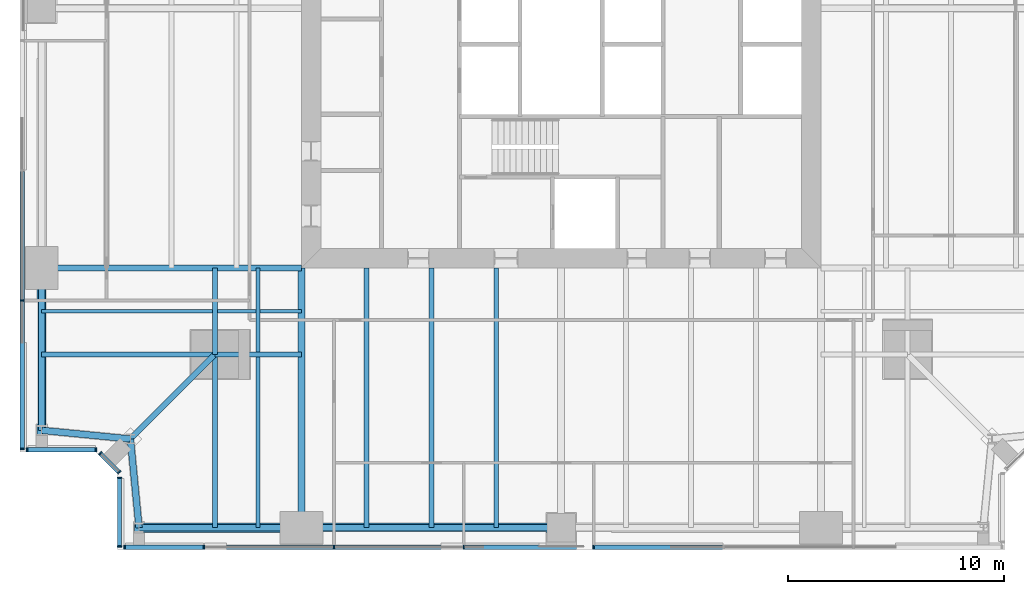
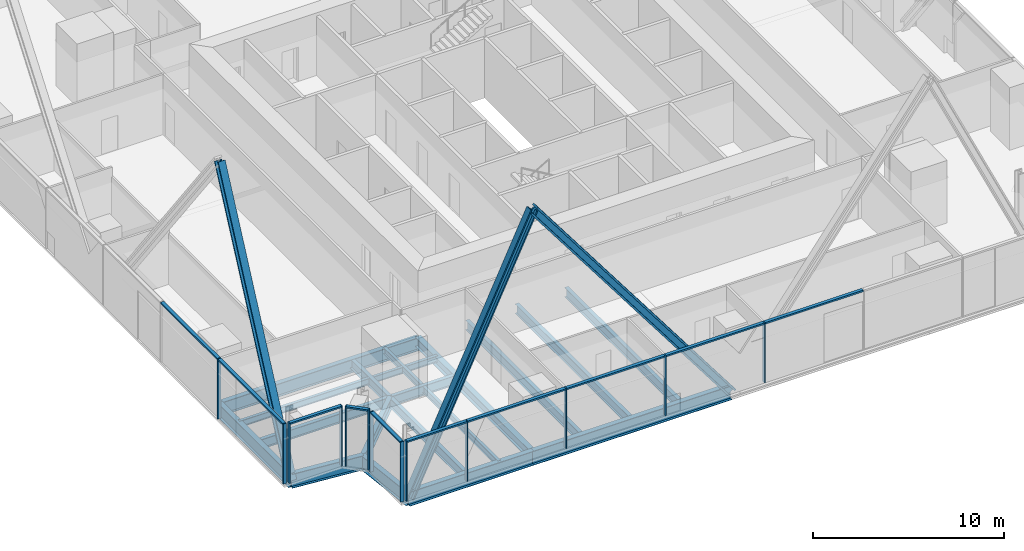
# One storey, part 2 of 13: 26 members, 20 beams, 5 elements without a shape of their own.
"""IFC4 building model written with IfcOpenShell, lengths in metres."""

import ifcopenshell
import ifcopenshell.guid

model = None  # the IFC model being written
_history = None  # IfcOwnerHistory: only IFC2X3 demands one
_inside = {}  # id of a spatial element -> (the spatial element, [elements in it])
_under = {}  # id of a project, library or spatial element -> (it, [spatial elements below it])
_declared = {}  # id of a project -> (the project, [libraries it declares])
_typed = {}  # id of a type object -> (the type object, [elements of that type])
_made_of = {}  # id of a material, layer set ... -> (it, [elements and type objects made of it])


def new_model(schema):
    """Start an empty IFC model of exactly this schema.

    Asked for "IFC4X3", IfcOpenShell would pick the latest addendum, in which some entities
    have other attributes; the version numbers below select the first issue.
    IFC2X3 requires an IfcOwnerHistory on every rooted entity: one is made here for all.
    """
    global model, _history
    if schema == "IFC4X3":
        model = ifcopenshell.file(schema_version=(4, 3, 0, 0))
    else:
        model = ifcopenshell.file(schema=schema)
    _inside.clear()
    _under.clear()
    _declared.clear()
    _typed.clear()
    _made_of.clear()
    _history = None
    if model.schema == "IFC2X3":
        org = make("IfcOrganization", Name="unknown")
        user = make(
            "IfcPersonAndOrganization",
            ThePerson=make("IfcPerson", FamilyName="unknown"),
            TheOrganization=org,
        )
        app = make(
            "IfcApplication",
            ApplicationDeveloper=org,
            Version="unknown",
            ApplicationFullName="unknown",
            ApplicationIdentifier="unknown",
        )
        _history = make(
            "IfcOwnerHistory",
            OwningUser=user,
            OwningApplication=app,
            ChangeAction="ADDED",
            CreationDate=0,
        )
    return model


def make(cls, **values):
    """One entity of the class cls with the attributes given. An attribute that is None is left unset."""
    return model.create_entity(
        cls, **{name: value for name, value in values.items() if value is not None}
    )


def rooted(cls, **values):
    """An entity with a GlobalId (a new one), such as an element, a storey or a relation."""
    return make(cls, GlobalId=ifcopenshell.guid.new(), OwnerHistory=_history, **values)


def si_unit(unit_type, name, prefix=None):
    """IfcSIUnit, for example si_unit("LENGTHUNIT", "METRE", prefix="MILLI")."""
    return make("IfcSIUnit", UnitType=unit_type, Prefix=prefix, Name=name)


def assignment(units):
    """IfcUnitAssignment: the units of a project."""
    return None if units is None else make("IfcUnitAssignment", Units=units)


def point(xyz):
    """IfcCartesianPoint."""
    return None if xyz is None else make("IfcCartesianPoint", Coordinates=xyz)


def direction(xyz):
    """IfcDirection."""
    return None if xyz is None else make("IfcDirection", DirectionRatios=xyz)


def frame(location, z_axis=None, x_axis=None):
    """IfcAxis2Placement3D, a coordinate frame: its origin and axes. An axis left out is left unset."""
    return make(
        "IfcAxis2Placement3D",
        Location=point(location),
        Axis=direction(z_axis),
        RefDirection=direction(x_axis),
    )


def frame_2d(location, x_axis=None):
    """IfcAxis2Placement2D, a coordinate frame in the plane: its origin and x axis."""
    return make(
        "IfcAxis2Placement2D", Location=point(location), RefDirection=direction(x_axis)
    )


def origin():
    """The frame at (0, 0, 0) with its axes left unset."""
    return frame((0.0, 0.0, 0.0))


def origin_2d():
    """The frame at (0, 0) in the plane with its x axis left unset."""
    return frame_2d((0.0, 0.0))


def place(relative_to, where):
    """IfcLocalPlacement: puts the frame where relative to a parent placement (None: the world)."""
    return make(
        "IfcLocalPlacement", PlacementRelTo=relative_to, RelativePlacement=where
    )


def context(
    kind, dimensions, precision=None, world=None, true_north=None, identifier=None
):
    """IfcGeometricRepresentationContext, for example the 3D "Model" context."""
    return make(
        "IfcGeometricRepresentationContext",
        ContextIdentifier=identifier,
        ContextType=kind,
        CoordinateSpaceDimension=dimensions,
        Precision=precision,
        WorldCoordinateSystem=world,
        TrueNorth=true_north,
    )


def subcontext(parent, identifier, kind, view, scale=None):
    """IfcGeometricRepresentationSubContext, for example "Body" below "Model"."""
    return make(
        "IfcGeometricRepresentationSubContext",
        ContextIdentifier=identifier,
        ContextType=kind,
        ParentContext=parent,
        TargetScale=scale,
        TargetView=view,
    )


def project(units=None, contexts=None):
    """IfcProject with its units and contexts."""
    return rooted(
        "IfcProject",
        Name="project",
        RepresentationContexts=contexts,
        UnitsInContext=assignment(units),
    )


def spatial(cls, under=None, at=None, **own):
    """A site, building, storey or space (cls), placed at a placement, below another one or the project."""
    s = rooted(cls, ObjectPlacement=at, **own)
    if under is not None:
        _under.setdefault(under.id(), (under, []))[1].append(s)
    return s


def profile(cls, at=None, kind="AREA", **sizes):
    """A parametric profile (cls). Its sizes go by their IFC names, for example OverallWidth=200.0."""
    return make(cls, ProfileType=kind, Position=at, **sizes)


def rectangle(**sizes):
    """IfcRectangleProfileDef."""
    return profile("IfcRectangleProfileDef", **sizes)


def i_section(**sizes):
    """IfcIShapeProfileDef."""
    return profile("IfcIShapeProfileDef", **sizes)


def extrude(swept, where, along, depth):
    """IfcExtrudedAreaSolid: the profile swept, set in the frame where, extruded along a direction by depth."""
    return make(
        "IfcExtrudedAreaSolid",
        SweptArea=swept,
        Position=where,
        ExtrudedDirection=direction(along),
        Depth=depth,
    )


def shape(context_of_items, identifier, shape_type, items):
    """IfcShapeRepresentation: the items that make up one representation, for example the "Body"."""
    return make(
        "IfcShapeRepresentation",
        ContextOfItems=context_of_items,
        RepresentationIdentifier=identifier,
        RepresentationType=shape_type,
        Items=items,
    )


def material(Name=None, Category=None):
    """IfcMaterial."""
    return make("IfcMaterial", Name=Name, Category=Category)


def material_profile(
    of_material, cross_section, Name=None, Category=None, Priority=None
):
    """IfcMaterialProfile: a cross section and its material."""
    return make(
        "IfcMaterialProfile",
        Name=Name,
        Material=of_material,
        Profile=cross_section,
        Priority=Priority,
        Category=Category,
    )


def profile_set(profiles, Name=None, composite=None):
    """IfcMaterialProfileSet."""
    return make(
        "IfcMaterialProfileSet",
        Name=Name,
        MaterialProfiles=profiles,
        CompositeProfile=composite,
    )


def made_of(thing, what):
    """Note that an element or type object is made of a material, layer set ...; save() writes the relation."""
    if what is not None:
        _made_of.setdefault(what.id(), (what, []))[1].append(thing)
    return thing


def type_object(cls, material=None, **own):
    """A type object (cls), such as IfcWallType, which elements share."""
    return made_of(rooted(cls, **own), material)


def element(
    cls,
    number,
    at=None,
    inside=None,
    cuts=None,
    type_object=None,
    material=None,
    context=None,
    identifier="Body",
    shape_type=None,
    held_by="IfcProductDefinitionShape",
    body=None,
    shapes=None,
    **own,
):
    """One element of the class cls, such as IfcWall. Its Tag is "e" and its number.

    at: its placement. inside: the storey or other place that contains it. cuts: it is an
    opening in that element (IfcRelVoidsElement). A single representation is given by context,
    identifier, shape_type and body (its items); several are given by shapes. held_by: the class
    of the entity that holds the representations. save() writes the other relations.
    """
    e = rooted(cls, Tag="e%d" % number, ObjectPlacement=at, **own)
    if body is not None:
        shapes = [shape(context, identifier, shape_type, body)]
    if shapes is not None:
        e.Representation = make(held_by, Representations=shapes)
    if inside is not None:
        _inside.setdefault(inside.id(), (inside, []))[1].append(e)
    if cuts is not None:
        rooted(
            "IfcRelVoidsElement", RelatingBuildingElement=cuts, RelatedOpeningElement=e
        )
    if type_object is not None:
        _typed.setdefault(type_object.id(), (type_object, []))[1].append(e)
    return made_of(e, material)


def aggregate(whole, parts):
    """IfcRelAggregates: a whole, such as a stair, and the parts it consists of."""
    return rooted("IfcRelAggregates", RelatingObject=whole, RelatedObjects=parts)


def save(model, path):
    """Write the relations noted so far, then the file.

    IfcRelAggregates (storeys below a building ...), IfcRelContainedInSpatialStructure (elements
    in a storey), IfcRelDefinesByType, IfcRelAssociatesMaterial and IfcRelDeclares: one each for
    every whole, place, type object, material and project.
    """
    for whole, parts in _under.values():
        aggregate(whole, parts)
    for where, things in _inside.values():
        rooted(
            "IfcRelContainedInSpatialStructure",
            RelatedElements=things,
            RelatingStructure=where,
        )
    for kind, things in _typed.values():
        rooted("IfcRelDefinesByType", RelatedObjects=things, RelatingType=kind)
    for what, things in _made_of.values():
        rooted("IfcRelAssociatesMaterial", RelatedObjects=things, RelatingMaterial=what)
    for by, libraries in _declared.values():
        rooted("IfcRelDeclares", RelatingContext=by, RelatedDefinitions=libraries)
    model.write(path)


model = new_model("IFC4")

# Units and contexts
model_context = context("Model", 3, precision=1e-05, world=origin(), true_north=direction((0.0, 1.0)))
body_context = subcontext(model_context, "Body", "Model", "MODEL_VIEW")
ifc_project = project(units=[si_unit("LENGTHUNIT", "METRE"), si_unit("AREAUNIT", "SQUARE_METRE"), si_unit("VOLUMEUNIT", "CUBIC_METRE"), si_unit("PLANEANGLEUNIT", "RADIAN"), si_unit("MASSUNIT", "GRAM", prefix="KILO")], contexts=[model_context])

# Site, building, storey
site_placement = place(None, origin())
site = spatial("IfcSite", under=ifc_project, at=site_placement, CompositionType="ELEMENT")
building_placement = place(site_placement, origin())
building = spatial("IfcBuilding", under=site, at=building_placement, Name="Fenwick Lantern Interchange", CompositionType="ELEMENT")
storey_placement = place(building_placement, frame((0.0, 0.0, 146.39990234375)))
storey = spatial("IfcBuildingStorey", under=building, at=storey_placement, Name="L34", CompositionType="ELEMENT", Elevation=146.39990234375)

# Beams
ifc_material_1 = material(Name="Steel ASTM A992 Grade 50", Category="steel")
ifc_material_profile_1 = material_profile(ifc_material_1, i_section(OverallWidth=0.3046875, OverallDepth=0.911865234375, WebThickness=0.015869140625, FlangeThickness=0.02392578125, at=origin_2d()), Name="W36X150")
ifc_profile_set_1 = profile_set([ifc_material_profile_1], Name="Steel ASTM A992 Grade 50")
beam_type_1 = type_object("IfcBeamType", Name="EDGE BEAM W36X150", PredefinedType="SPANDREL", material=ifc_profile_set_1)
beam_1_placement = place(storey_placement, frame((5.5, 1.0, -0.605712890625), z_axis=(1.0, 0.0, 0.0), x_axis=(0.0, 1.0, 0.0)))
element("IfcBeam", 1, at=beam_1_placement, inside=storey, type_object=beam_type_1, Name="L34/FR/S/EB1", PredefinedType="SPANDREL", context=body_context, shape_type="SweptSolid", body=[
    extrude(i_section(OverallWidth=0.3046875, OverallDepth=0.911865234375, WebThickness=0.015869140625, FlangeThickness=0.02392578125, at=origin_2d()), origin(), (0.0, 0.0, 1.0), 7.5),
])
beam_2_placement = place(storey_placement, frame((13.0, 1.0, -0.605712890625), z_axis=(1.0, 0.0, 0.0), x_axis=(0.0, 1.0, 0.0)))
element("IfcBeam", 2, at=beam_2_placement, inside=storey, type_object=beam_type_1, Name="L34/FR/S/EB2", PredefinedType="SPANDREL", context=body_context, shape_type="SweptSolid", body=[
    extrude(i_section(OverallWidth=0.3046875, OverallDepth=0.911865234375, WebThickness=0.015869140625, FlangeThickness=0.02392578125, at=origin_2d()), origin(), (0.0, 0.0, 1.0), 12.0),
])
beam_3_placement = place(storey_placement, frame((1.0, 13.0, -0.605712890625), z_axis=(0.0, -1.0, 0.0), x_axis=(1.0, 0.0, 0.0)))
element("IfcBeam", 3, at=beam_3_placement, inside=storey, type_object=beam_type_1, Name="L34/FR/W/EB4", PredefinedType="SPANDREL", context=body_context, shape_type="SweptSolid", body=[
    extrude(i_section(OverallWidth=0.3046875, OverallDepth=0.911865234375, WebThickness=0.015869140625, FlangeThickness=0.02392578125, at=origin_2d()), origin(), (0.0, 0.0, 1.0), 7.5),
])
for number, where, z_axis, x_axis, name in (
    (4, (1.0, 5.5, -0.605712890625), (0.995277148028, -0.097074191287, 0.0), (0.097074191287, 0.995277148028, 0.0), "L34/FR/W/EBR1"),
    (5, (5.10009765625, 5.10009765625, -0.605712890625), (0.097074191287, -0.995277148028, 0.0), (0.995277148028, 0.097074191287, 0.0), "L34/FR/W/EBR2"),
):
    element("IfcBeam", number, at=place(storey_placement, frame(where, z_axis=z_axis, x_axis=x_axis)), inside=storey, type_object=beam_type_1, Name=name, PredefinedType="SPANDREL", context=body_context, shape_type="SweptSolid", body=[
        extrude(i_section(OverallWidth=0.3046875, OverallDepth=0.911865234375, WebThickness=0.015869140625, FlangeThickness=0.02392578125, at=origin_2d()), origin(), (0.0, 0.0, 1.0), 4.11962890625),
    ])

# Members
ifc_material_profile_2 = material_profile(ifc_material_1, i_section(OverallWidth=0.424072265625, OverallDepth=0.47509765625, WebThickness=0.0478515625, FlangeThickness=0.0771484375, at=origin_2d()), Name="W14X426")
ifc_profile_set_2 = profile_set([ifc_material_profile_2], Name="Steel ASTM A992 Grade 50")
member_type_1 = type_object("IfcMemberType", Name="FACADE BRACE W14X426", PredefinedType="BRACE", material=ifc_profile_set_2)
for number, where, z_axis, x_axis, name in (
    (6, (5.5, 1.0, -0.605712890625), (0.426947906428, 0.0, 0.904276221736), (0.0, 1.0, 0.0), "L34/FB/S/AE"),
    (7, (1.0, 5.5, -0.605712890625), (0.0, 0.426947906428, 0.904276221736), (-1.0, 0.0, 0.0), "L34/FB/W/BE"),
):
    element("IfcMember", number, at=place(storey_placement, frame(where, z_axis=z_axis, x_axis=x_axis)), inside=storey, type_object=member_type_1, Name=name, PredefinedType="BRACE", context=body_context, shape_type="SweptSolid", body=[
        extrude(i_section(OverallWidth=0.424072265625, OverallDepth=0.47509765625, WebThickness=0.0478515625, FlangeThickness=0.0771484375, at=origin_2d()), origin(), (0.0, 0.0, 1.0), 17.566650390625),
    ])
ifc_material_profile_3 = material_profile(ifc_material_1, i_section(OverallWidth=0.44189453125, OverallDepth=0.53076171875, WebThickness=0.06591796875, FlangeThickness=0.105712890625, at=origin_2d()), Name="W14X605")
ifc_profile_set_3 = profile_set([ifc_material_profile_3], Name="Steel ASTM A992 Grade 50")
member_type_2 = type_object("IfcMemberType", Name="FACADE BRACE W14X605", PredefinedType="BRACE", material=ifc_profile_set_3)
member_1_placement = place(storey_placement, frame((25.0, 1.0, -0.605712890625), z_axis=(-0.602768898294, 0.0, 0.797915819651), x_axis=(0.0, -1.0, 0.0)))
element("IfcMember", 8, at=member_1_placement, inside=storey, type_object=member_type_2, Name="L34/FB/S/A", PredefinedType="BRACE", context=body_context, shape_type="SweptSolid", body=[
    extrude(i_section(OverallWidth=0.44189453125, OverallDepth=0.53076171875, WebThickness=0.06591796875, FlangeThickness=0.105712890625, at=origin_2d()), origin(), (0.0, 0.0, 1.0), 19.908203125),
])

# Beams
ifc_material_profile_4 = material_profile(ifc_material_1, i_section(OverallWidth=0.22900390625, OverallDepth=0.612060546875, WebThickness=0.011962890625, FlangeThickness=0.01953125, at=origin_2d()), Name="W24X84")
ifc_profile_set_4 = profile_set([ifc_material_profile_4], Name="Steel ASTM A992 Grade 50")
beam_type_2 = type_object("IfcBeamType", Name="FLOOR BEAM W24X84", PredefinedType="BEAM", material=ifc_profile_set_4)
for number, where, z_axis, x_axis, name in (
    (9, (16.0, 1.0, -0.4560546875), (0.0, 1.0, 0.0), (-1.0, 0.0, 0.0), "L34/FR/S/R02"),
    (10, (19.0, 1.0, -0.4560546875), (0.0, 1.0, 0.0), (-1.0, 0.0, 0.0), "L34/FR/S/R03"),
    (11, (22.0, 1.0, -0.4560546875), (0.0, 1.0, 0.0), (-1.0, 0.0, 0.0), "L34/FR/S/R04"),
):
    element("IfcBeam", number, at=place(storey_placement, frame(where, z_axis=z_axis, x_axis=x_axis)), inside=storey, type_object=beam_type_2, Name=name, PredefinedType="BEAM", context=body_context, shape_type="SweptSolid", body=[
        extrude(i_section(OverallWidth=0.22900390625, OverallDepth=0.612060546875, WebThickness=0.011962890625, FlangeThickness=0.01953125, at=origin_2d()), origin(), (0.0, 0.0, 1.0), 12.0),
    ])
ifc_material_profile_5 = material_profile(ifc_material_1, i_section(OverallWidth=0.177734375, OverallDepth=0.406494140625, WebThickness=0.0078125, FlangeThickness=0.012939453125, at=origin_2d()), Name="W16X40")
ifc_profile_set_5 = profile_set([ifc_material_profile_5], Name="Steel ASTM A992 Grade 50")
beam_type_3 = type_object("IfcBeamType", Name="INFILL BEAM W16X40", PredefinedType="JOIST", material=ifc_profile_set_5)
beam_4_placement = place(storey_placement, frame((11.0, 1.0, -0.35302734375), z_axis=(0.0, 1.0, 0.0), x_axis=(-1.0, 0.0, 0.0)))
element("IfcBeam", 12, at=beam_4_placement, inside=storey, type_object=beam_type_3, Name="L34/FR/S/J1", PredefinedType="JOIST", context=body_context, shape_type="SweptSolid", body=[
    extrude(i_section(OverallWidth=0.177734375, OverallDepth=0.406494140625, WebThickness=0.0078125, FlangeThickness=0.012939453125, at=origin_2d()), origin(), (0.0, 0.0, 1.0), 7.885498046875),
])
beam_5_placement = place(storey_placement, frame((11.0, 9.114501953125, -0.35302734375), z_axis=(0.0, 1.0, 0.0), x_axis=(-1.0, 0.0, 0.0)))
element("IfcBeam", 13, at=beam_5_placement, inside=storey, type_object=beam_type_3, Name="L34/FR/S/J2", PredefinedType="JOIST", context=body_context, shape_type="SweptSolid", body=[
    extrude(i_section(OverallWidth=0.177734375, OverallDepth=0.406494140625, WebThickness=0.0078125, FlangeThickness=0.012939453125, at=origin_2d()), origin(), (0.0, 0.0, 1.0), 3.885498046875),
])
beam_6_placement = place(storey_placement, frame((1.0, 11.0, -0.35302734375), z_axis=(1.0, 0.0, 0.0), x_axis=(0.0, 1.0, 0.0)))
element("IfcBeam", 14, at=beam_6_placement, inside=storey, type_object=beam_type_3, Name="L34/FR/S/J3", PredefinedType="JOIST", context=body_context, shape_type="SweptSolid", body=[
    extrude(i_section(OverallWidth=0.177734375, OverallDepth=0.406494140625, WebThickness=0.0078125, FlangeThickness=0.012939453125, at=origin_2d()), origin(), (0.0, 0.0, 1.0), 7.885498046875),
])
beam_7_placement = place(storey_placement, frame((9.114501953125, 11.0, -0.35302734375), z_axis=(1.0, 0.0, 0.0), x_axis=(0.0, 1.0, 0.0)))
element("IfcBeam", 15, at=beam_7_placement, inside=storey, type_object=beam_type_3, Name="L34/FR/S/J4", PredefinedType="JOIST", context=body_context, shape_type="SweptSolid", body=[
    extrude(i_section(OverallWidth=0.177734375, OverallDepth=0.406494140625, WebThickness=0.0078125, FlangeThickness=0.012939453125, at=origin_2d()), origin(), (0.0, 0.0, 1.0), 1.796630859375),
])
beam_8_placement = place(storey_placement, frame((11.0888671875, 11.0, -0.35302734375), z_axis=(1.0, 0.0, 0.0), x_axis=(0.0, 1.0, 0.0)))
element("IfcBeam", 16, at=beam_8_placement, inside=storey, type_object=beam_type_3, Name="L34/FR/S/J5", PredefinedType="JOIST", context=body_context, shape_type="SweptSolid", body=[
    extrude(i_section(OverallWidth=0.177734375, OverallDepth=0.406494140625, WebThickness=0.0078125, FlangeThickness=0.012939453125, at=origin_2d()), origin(), (0.0, 0.0, 1.0), 1.9111328125),
])
ifc_material_profile_6 = material_profile(ifc_material_1, i_section(OverallWidth=0.22900390625, OverallDepth=0.612060546875, WebThickness=0.011962890625, FlangeThickness=0.01953125, at=origin_2d()), Name="W24X84")
ifc_profile_set_6 = profile_set([ifc_material_profile_6], Name="Steel ASTM A992 Grade 50")
beam_type_4 = type_object("IfcBeamType", Name="MEGA COLUMN BEAM W24X84", PredefinedType="BEAM", material=ifc_profile_set_6)
for number, where, z_axis, x_axis, name in (
    (17, (9.0, 9.0, -0.4560546875), (0.0, -1.0, 0.0), (1.0, 0.0, 0.0), "L34/FR/S/MB1"),
    (18, (9.0, 9.0, -0.4560546875), (-1.0, 0.0, 0.0), (0.0, -1.0, 0.0), "L34/FR/S/MB2"),
):
    element("IfcBeam", number, at=place(storey_placement, frame(where, z_axis=z_axis, x_axis=x_axis)), inside=storey, type_object=beam_type_4, Name=name, PredefinedType="BEAM", context=body_context, shape_type="SweptSolid", body=[
        extrude(i_section(OverallWidth=0.22900390625, OverallDepth=0.612060546875, WebThickness=0.011962890625, FlangeThickness=0.01953125, at=origin_2d()), origin(), (0.0, 0.0, 1.0), 8.0),
    ])
for number, where, z_axis, x_axis, name in (
    (19, (9.0, 9.0, -0.4560546875), (1.0, 0.0, 0.0), (0.0, 1.0, 0.0), "L34/FR/S/MB3"),
    (20, (9.0, 9.0, -0.4560546875), (0.0, 1.0, 0.0), (-1.0, 0.0, 0.0), "L34/FR/S/MB4"),
):
    element("IfcBeam", number, at=place(storey_placement, frame(where, z_axis=z_axis, x_axis=x_axis)), inside=storey, type_object=beam_type_4, Name=name, PredefinedType="BEAM", context=body_context, shape_type="SweptSolid", body=[
        extrude(i_section(OverallWidth=0.22900390625, OverallDepth=0.612060546875, WebThickness=0.011962890625, FlangeThickness=0.01953125, at=origin_2d()), origin(), (0.0, 0.0, 1.0), 4.0),
    ])
ifc_material_profile_7 = material_profile(ifc_material_1, i_section(OverallWidth=0.32763671875, OverallDepth=0.622314453125, WebThickness=0.015380859375, FlangeThickness=0.0244140625, at=origin_2d()), Name="W24X131")
ifc_profile_set_7 = profile_set([ifc_material_profile_7], Name="Steel ASTM A992 Grade 50")
beam_type_5 = type_object("IfcBeamType", Name="MOMENT-CONNECTED GIRDER W24X131", PredefinedType="BEAM", material=ifc_profile_set_7)
beam_9_placement = place(storey_placement, frame((13.0, 1.0, -0.4609375), z_axis=(0.0, 1.0, 0.0), x_axis=(-1.0, 0.0, 0.0)))
element("IfcBeam", 21, at=beam_9_placement, inside=storey, type_object=beam_type_5, Name="L34/FR/S/R01", PredefinedType="BEAM", context=body_context, shape_type="SweptSolid", body=[
    extrude(i_section(OverallWidth=0.32763671875, OverallDepth=0.622314453125, WebThickness=0.015380859375, FlangeThickness=0.0244140625, at=origin_2d()), origin(), (0.0, 0.0, 1.0), 12.0),
])
ifc_material_profile_8 = material_profile(ifc_material_1, i_section(OverallWidth=0.2919921875, OverallDepth=0.845703125, WebThickness=0.015380859375, FlangeThickness=0.0244140625, at=origin_2d()), Name="W33X141")
ifc_profile_set_8 = profile_set([ifc_material_profile_8], Name="Steel ASTM A992 Grade 50")
beam_type_6 = type_object("IfcBeamType", Name="MOMENT-CONNECTED GIRDER W33X141", PredefinedType="BEAM", material=ifc_profile_set_8)
beam_10_placement = place(storey_placement, frame((1.0, 13.0, -0.57275390625), z_axis=(1.0, 0.0, 0.0), x_axis=(0.0, 1.0, 0.0)))
element("IfcBeam", 22, at=beam_10_placement, inside=storey, type_object=beam_type_6, Name="L34/FR/W/R03", PredefinedType="BEAM", context=body_context, shape_type="SweptSolid", body=[
    extrude(i_section(OverallWidth=0.2919921875, OverallDepth=0.845703125, WebThickness=0.015380859375, FlangeThickness=0.0244140625, at=origin_2d()), origin(), (0.0, 0.0, 1.0), 12.0),
])
ifc_material_profile_9 = material_profile(ifc_material_1, i_section(OverallWidth=0.2666015625, OverallDepth=0.7568359375, WebThickness=0.013916015625, FlangeThickness=0.019287109375, at=origin_2d()), Name="W30X108")
ifc_profile_set_9 = profile_set([ifc_material_profile_9], Name="Steel ASTM A992 Grade 50")
beam_type_7 = type_object("IfcBeamType", Name="NOTCH BEAM W30X108", PredefinedType="BEAM", material=ifc_profile_set_9)
beam_11_placement = place(storey_placement, frame((9.0, 9.0, -0.5283203125), z_axis=(-0.707106781187, -0.707106781187, 0.0), x_axis=(0.707106781187, -0.707106781187, 0.0)))
element("IfcBeam", 23, at=beam_11_placement, inside=storey, type_object=beam_type_7, Name="L34/FR/S/TG", PredefinedType="BEAM", context=body_context, shape_type="SweptSolid", body=[
    extrude(i_section(OverallWidth=0.2666015625, OverallDepth=0.7568359375, WebThickness=0.013916015625, FlangeThickness=0.019287109375, at=origin_2d()), origin(), (0.0, 0.0, 1.0), 5.515380859375),
])

# Curtain wall, members
ifc_material_2 = material(Name="Aluminium curtain wall frame", Category="aluminium")
curtain_wall_type = type_object("IfcCurtainWallType", Name="OFFICE CURTAIN WALL", PredefinedType="USERDEFINED", material=ifc_material_2)
curtain_wall_1_placement = place(storey_placement, origin())
curtain_wall_1 = element("IfcCurtainWall", 24, at=curtain_wall_1_placement, inside=storey, type_object=curtain_wall_type, Name="Office curtain wall 01", ObjectType="OFFICE CURTAIN WALL", PredefinedType="USERDEFINED")
ifc_material_3 = material(Name="Aluminium extrusion", Category="aluminium")
ifc_material_profile_10 = material_profile(ifc_material_3, rectangle(XDim=0.199951171875, YDim=0.06494140625, at=origin_2d()), Name="OFFICE CURTAIN WALL MULLION 65 X 200")
ifc_profile_set_10 = profile_set([ifc_material_profile_10], Name="Aluminium extrusion")
member_type_3 = type_object("IfcMemberType", Name="OFFICE CURTAIN WALL MULLION 65 X 200", PredefinedType="MULLION", material=ifc_profile_set_10)
member_2_placement = place(storey_placement, frame((4.83251953125, 0.10009765625, 0.0), z_axis=(0.0, 0.0, 1.0), x_axis=(0.0, 1.0, 0.0)))
member_2 = element("IfcMember", 25, at=member_2_placement, type_object=member_type_3, Name="L34/CW/01/M00", PredefinedType="MULLION", context=body_context, shape_type="SweptSolid", body=[
    extrude(rectangle(XDim=0.199951171875, YDim=0.06494140625, at=origin_2d()), origin(), (0.0, 0.0, 1.0), 3.85009765625),
])
member_3_placement = place(storey_placement, frame((8.5, 0.10009765625, 0.0), z_axis=(0.0, 0.0, 1.0), x_axis=(0.0, 1.0, 0.0)))
member_3 = element("IfcMember", 26, at=member_3_placement, type_object=member_type_3, Name="L34/CW/01/M01", PredefinedType="MULLION", context=body_context, shape_type="SweptSolid", body=[
    extrude(rectangle(XDim=0.199951171875, YDim=0.06494140625, at=origin_2d()), origin(), (0.0, 0.0, 1.0), 3.85009765625),
])
member_4_placement = place(storey_placement, frame((14.5, 0.10009765625, 0.0), z_axis=(0.0, 0.0, 1.0), x_axis=(0.0, 1.0, 0.0)))
member_4 = element("IfcMember", 27, at=member_4_placement, type_object=member_type_3, Name="L34/CW/01/M02", PredefinedType="MULLION", context=body_context, shape_type="SweptSolid", body=[
    extrude(rectangle(XDim=0.199951171875, YDim=0.06494140625, at=origin_2d()), origin(), (0.0, 0.0, 1.0), 3.85009765625),
])
member_5_placement = place(storey_placement, frame((20.5, 0.10009765625, 0.0), z_axis=(0.0, 0.0, 1.0), x_axis=(0.0, 1.0, 0.0)))
member_5 = element("IfcMember", 28, at=member_5_placement, type_object=member_type_3, Name="L34/CW/01/M03", PredefinedType="MULLION", context=body_context, shape_type="SweptSolid", body=[
    extrude(rectangle(XDim=0.199951171875, YDim=0.06494140625, at=origin_2d()), origin(), (0.0, 0.0, 1.0), 3.85009765625),
])
member_6_placement = place(storey_placement, frame((26.5, 0.10009765625, 0.0), z_axis=(0.0, 0.0, 1.0), x_axis=(0.0, 1.0, 0.0)))
member_6 = element("IfcMember", 29, at=member_6_placement, type_object=member_type_3, Name="L34/CW/01/M04", PredefinedType="MULLION", context=body_context, shape_type="SweptSolid", body=[
    extrude(rectangle(XDim=0.199951171875, YDim=0.06494140625, at=origin_2d()), origin(), (0.0, 0.0, 1.0), 3.85009765625),
])

curtain_wall_2_placement = place(storey_placement, origin())
curtain_wall_2 = element("IfcCurtainWall", 30, at=curtain_wall_2_placement, inside=storey, type_object=curtain_wall_type, Name="Office curtain wall 13", ObjectType="OFFICE CURTAIN WALL", PredefinedType="USERDEFINED")
member_7_placement = place(storey_placement, frame((0.10009765625, 11.5, 0.0), z_axis=(0.0, 0.0, 1.0), x_axis=(1.0, 0.0, 0.0)))
member_7 = element("IfcMember", 31, at=member_7_placement, type_object=member_type_3, Name="L34/CW/13/M06", PredefinedType="MULLION", context=body_context, shape_type="SweptSolid", body=[
    extrude(rectangle(XDim=0.199951171875, YDim=0.06494140625, at=origin_2d()), origin(), (0.0, 0.0, 1.0), 3.85009765625),
])
member_8_placement = place(storey_placement, frame((0.10009765625, 4.632568359375, 0.0), z_axis=(0.0, 0.0, 1.0), x_axis=(1.0, 0.0, 0.0)))
member_8 = element("IfcMember", 32, at=member_8_placement, type_object=member_type_3, Name="L34/CW/13/M07", PredefinedType="MULLION", context=body_context, shape_type="SweptSolid", body=[
    extrude(rectangle(XDim=0.199951171875, YDim=0.06494140625, at=origin_2d()), origin(), (0.0, 0.0, 1.0), 3.85009765625),
])

curtain_wall_3_placement = place(storey_placement, origin())
curtain_wall_3 = element("IfcCurtainWall", 33, at=curtain_wall_3_placement, inside=storey, type_object=curtain_wall_type, Name="Office curtain wall 14", ObjectType="OFFICE CURTAIN WALL", PredefinedType="USERDEFINED")
member_9_placement = place(storey_placement, frame((0.33251953125, 4.60009765625, 0.0), z_axis=(0.0, 0.0, 1.0), x_axis=(0.0, 1.0, 0.0)))
member_9 = element("IfcMember", 34, at=member_9_placement, type_object=member_type_3, Name="L34/CW/14/M00", PredefinedType="MULLION", context=body_context, shape_type="SweptSolid", body=[
    extrude(rectangle(XDim=0.199951171875, YDim=0.06494140625, at=origin_2d()), origin(), (0.0, 0.0, 1.0), 3.85009765625),
])
member_10_placement = place(storey_placement, frame((3.509033203125, 4.60009765625, 0.0), z_axis=(0.0, 0.0, 1.0), x_axis=(0.0, 1.0, 0.0)))
member_10 = element("IfcMember", 35, at=member_10_placement, type_object=member_type_3, Name="L34/CW/14/M01", PredefinedType="MULLION", context=body_context, shape_type="SweptSolid", body=[
    extrude(rectangle(XDim=0.199951171875, YDim=0.06494140625, at=origin_2d()), origin(), (0.0, 0.0, 1.0), 3.85009765625),
])

curtain_wall_4_placement = place(storey_placement, origin())
curtain_wall_4 = element("IfcCurtainWall", 36, at=curtain_wall_4_placement, inside=storey, type_object=curtain_wall_type, Name="Office curtain wall 15", ObjectType="OFFICE CURTAIN WALL", PredefinedType="USERDEFINED")
member_11_placement = place(storey_placement, frame((3.705810546875, 4.435546875, 0.0), z_axis=(0.0, 0.0, 1.0), x_axis=(0.707106781187, 0.707106781187, 0.0)))
member_11 = element("IfcMember", 37, at=member_11_placement, type_object=member_type_3, Name="L34/CW/15/M00", PredefinedType="MULLION", context=body_context, shape_type="SweptSolid", body=[
    extrude(rectangle(XDim=0.199951171875, YDim=0.06494140625, at=origin_2d()), origin(), (0.0, 0.0, 1.0), 3.85009765625),
])
member_12_placement = place(storey_placement, frame((4.576904296875, 3.564453125, 0.0), z_axis=(0.0, 0.0, 1.0), x_axis=(0.707106781187, 0.707106781187, 0.0)))
member_12 = element("IfcMember", 38, at=member_12_placement, type_object=member_type_3, Name="L34/CW/15/M01", PredefinedType="MULLION", context=body_context, shape_type="SweptSolid", body=[
    extrude(rectangle(XDim=0.199951171875, YDim=0.06494140625, at=origin_2d()), origin(), (0.0, 0.0, 1.0), 3.85009765625),
])

curtain_wall_5_placement = place(storey_placement, origin())
curtain_wall_5 = element("IfcCurtainWall", 39, at=curtain_wall_5_placement, inside=storey, type_object=curtain_wall_type, Name="Office curtain wall 16", ObjectType="OFFICE CURTAIN WALL", PredefinedType="USERDEFINED")
member_13_placement = place(storey_placement, frame((4.60009765625, 3.308837890625, 0.0), z_axis=(0.0, 0.0, 1.0), x_axis=(1.0, 0.0, 0.0)))
member_13 = element("IfcMember", 40, at=member_13_placement, type_object=member_type_3, Name="L34/CW/16/M00", PredefinedType="MULLION", context=body_context, shape_type="SweptSolid", body=[
    extrude(rectangle(XDim=0.199951171875, YDim=0.06494140625, at=origin_2d()), origin(), (0.0, 0.0, 1.0), 3.85009765625),
])
member_14_placement = place(storey_placement, frame((4.60009765625, 0.132568359375, 0.0), z_axis=(0.0, 0.0, 1.0), x_axis=(1.0, 0.0, 0.0)))
member_14 = element("IfcMember", 41, at=member_14_placement, type_object=member_type_3, Name="L34/CW/16/M01", PredefinedType="MULLION", context=body_context, shape_type="SweptSolid", body=[
    extrude(rectangle(XDim=0.199951171875, YDim=0.06494140625, at=origin_2d()), origin(), (0.0, 0.0, 1.0), 3.85009765625),
])

# Member
ifc_material_profile_11 = material_profile(ifc_material_3, rectangle(XDim=0.199951171875, YDim=0.10009765625, at=origin_2d()), Name="OFFICE CURTAIN WALL TRANSOM 100 X 200")
ifc_profile_set_11 = profile_set([ifc_material_profile_11], Name="Aluminium extrusion")
member_type_4 = type_object("IfcMemberType", Name="OFFICE CURTAIN WALL TRANSOM 100 X 200", PredefinedType="MULLION", material=ifc_profile_set_11)
member_15_placement = place(storey_placement, frame((4.864990234375, 0.10009765625, 3.800048828125), z_axis=(1.0, 0.0, 0.0), x_axis=(0.0, 1.0, 0.0)))
member_15 = element("IfcMember", 42, at=member_15_placement, type_object=member_type_4, Name="L34/CW/01/T00", PredefinedType="MULLION", context=body_context, shape_type="SweptSolid", body=[
    extrude(rectangle(XDim=0.199951171875, YDim=0.10009765625, at=origin_2d()), origin(), (0.0, 0.0, 1.0), 3.6025390625),
])

member_16_placement = place(storey_placement, frame((8.532470703125, 0.10009765625, 3.800048828125), z_axis=(1.0, 0.0, 0.0), x_axis=(0.0, 1.0, 0.0)))
member_16 = element("IfcMember", 43, at=member_16_placement, type_object=member_type_4, Name="L34/CW/01/T01", PredefinedType="MULLION", context=body_context, shape_type="SweptSolid", body=[
    extrude(rectangle(XDim=0.199951171875, YDim=0.10009765625, at=origin_2d()), origin(), (0.0, 0.0, 1.0), 5.93505859375),
])

member_17_placement = place(storey_placement, frame((14.532470703125, 0.10009765625, 3.800048828125), z_axis=(1.0, 0.0, 0.0), x_axis=(0.0, 1.0, 0.0)))
member_17 = element("IfcMember", 44, at=member_17_placement, type_object=member_type_4, Name="L34/CW/01/T02", PredefinedType="MULLION", context=body_context, shape_type="SweptSolid", body=[
    extrude(rectangle(XDim=0.199951171875, YDim=0.10009765625, at=origin_2d()), origin(), (0.0, 0.0, 1.0), 5.93505859375),
])

member_18_placement = place(storey_placement, frame((20.532470703125, 0.10009765625, 3.800048828125), z_axis=(1.0, 0.0, 0.0), x_axis=(0.0, 1.0, 0.0)))
member_18 = element("IfcMember", 45, at=member_18_placement, type_object=member_type_4, Name="L34/CW/01/T03", PredefinedType="MULLION", context=body_context, shape_type="SweptSolid", body=[
    extrude(rectangle(XDim=0.199951171875, YDim=0.10009765625, at=origin_2d()), origin(), (0.0, 0.0, 1.0), 5.93505859375),
])

member_19_placement = place(storey_placement, frame((26.532470703125, 0.10009765625, 3.800048828125), z_axis=(1.0, 0.0, 0.0), x_axis=(0.0, 1.0, 0.0)))
member_19 = element("IfcMember", 46, at=member_19_placement, type_object=member_type_4, Name="L34/CW/01/T04", PredefinedType="MULLION", context=body_context, shape_type="SweptSolid", body=[
    extrude(rectangle(XDim=0.199951171875, YDim=0.10009765625, at=origin_2d()), origin(), (0.0, 0.0, 1.0), 5.93505859375),
])

aggregate(curtain_wall_1, [member_2, member_3, member_4, member_5, member_6, member_15, member_16, member_17, member_18, member_19])

member_20_placement = place(storey_placement, frame((0.10009765625, 17.467529296875, 3.800048828125), z_axis=(0.0, -1.0, 0.0), x_axis=(1.0, 0.0, 0.0)))
member_20 = element("IfcMember", 47, at=member_20_placement, type_object=member_type_4, Name="L34/CW/13/T05", PredefinedType="MULLION", context=body_context, shape_type="SweptSolid", body=[
    extrude(rectangle(XDim=0.199951171875, YDim=0.10009765625, at=origin_2d()), origin(), (0.0, 0.0, 1.0), 5.93505859375),
])

member_21_placement = place(storey_placement, frame((0.10009765625, 11.467529296875, 3.800048828125), z_axis=(0.0, -1.0, 0.0), x_axis=(1.0, 0.0, 0.0)))
member_21 = element("IfcMember", 48, at=member_21_placement, type_object=member_type_4, Name="L34/CW/13/T06", PredefinedType="MULLION", context=body_context, shape_type="SweptSolid", body=[
    extrude(rectangle(XDim=0.199951171875, YDim=0.10009765625, at=origin_2d()), origin(), (0.0, 0.0, 1.0), 6.802490234375),
])

aggregate(curtain_wall_2, [member_7, member_8, member_20, member_21])

member_22_placement = place(storey_placement, frame((0.364990234375, 4.60009765625, 3.800048828125), z_axis=(1.0, 0.0, 0.0), x_axis=(0.0, 1.0, 0.0)))
member_22 = element("IfcMember", 49, at=member_22_placement, type_object=member_type_4, Name="L34/CW/14/T00", PredefinedType="MULLION", context=body_context, shape_type="SweptSolid", body=[
    extrude(rectangle(XDim=0.199951171875, YDim=0.10009765625, at=origin_2d()), origin(), (0.0, 0.0, 1.0), 3.111328125),
])

aggregate(curtain_wall_3, [member_9, member_10, member_22])

member_23_placement = place(storey_placement, frame((3.728759765625, 4.41259765625, 3.800048828125), z_axis=(0.707106781187, -0.707106781187, 0.0), x_axis=(0.707106781187, 0.707106781187, 0.0)))
member_23 = element("IfcMember", 50, at=member_23_placement, type_object=member_type_4, Name="L34/CW/15/T00", PredefinedType="MULLION", context=body_context, shape_type="SweptSolid", body=[
    extrude(rectangle(XDim=0.199951171875, YDim=0.10009765625, at=origin_2d()), origin(), (0.0, 0.0, 1.0), 1.1669921875),
])

aggregate(curtain_wall_4, [member_11, member_12, member_23])

member_24_placement = place(storey_placement, frame((4.60009765625, 3.2763671875, 3.800048828125), z_axis=(0.0, -1.0, 0.0), x_axis=(1.0, 0.0, 0.0)))
member_24 = element("IfcMember", 51, at=member_24_placement, type_object=member_type_4, Name="L34/CW/16/T00", PredefinedType="MULLION", context=body_context, shape_type="SweptSolid", body=[
    extrude(rectangle(XDim=0.199951171875, YDim=0.10009765625, at=origin_2d()), origin(), (0.0, 0.0, 1.0), 3.111328125),
])

aggregate(curtain_wall_5, [member_13, member_14, member_24])

save(model, "model.ifc")
